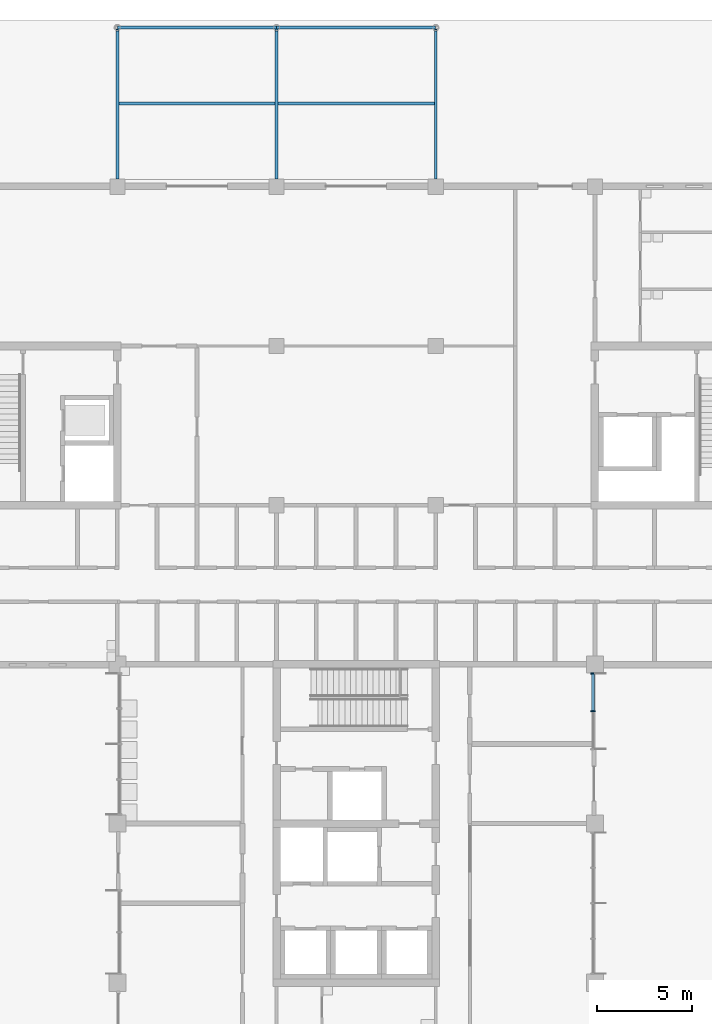
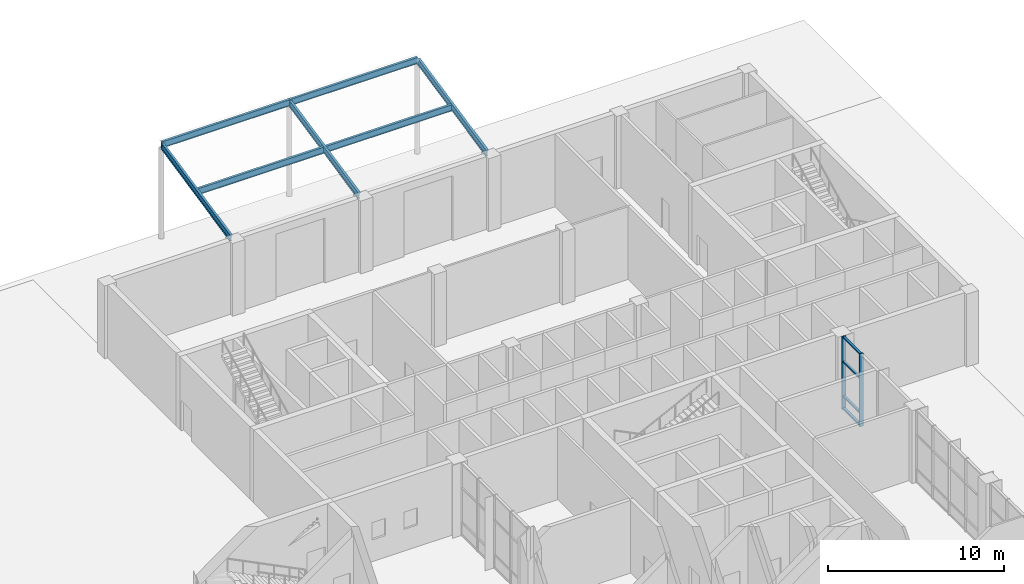
# One storey, part 23 of 76: 7 beams, 6 members, 1 element without a shape of its own.
"""IFC4 building model written with IfcOpenShell, lengths in metres."""

from ifc_helpers import new_model, si_unit, direction, frame, origin, origin_2d, place, context, subcontext, project, spatial, rectangle, i_section, extrude, material, material_profile, profile_set, type_object, element, aggregate, save


model = new_model("IFC4")

# Units and contexts
model_context = context("Model", 3, precision=1e-05, world=origin(), true_north=direction((0.0, 1.0)))
body_context = subcontext(model_context, "Body", "Model", "MODEL_VIEW")
ifc_project = project(units=[si_unit("LENGTHUNIT", "METRE"), si_unit("AREAUNIT", "SQUARE_METRE"), si_unit("VOLUMEUNIT", "CUBIC_METRE"), si_unit("PLANEANGLEUNIT", "RADIAN"), si_unit("MASSUNIT", "GRAM", prefix="KILO")], contexts=[model_context])

# Site, building, storey
site_placement = place(None, origin())
site = spatial("IfcSite", under=ifc_project, at=site_placement, CompositionType="ELEMENT")
building_placement = place(site_placement, origin())
building = spatial("IfcBuilding", under=site, at=building_placement, Name="Hlaing Beacon Police Headquarters", CompositionType="ELEMENT")
storey_placement = place(building_placement, origin())
storey = spatial("IfcBuildingStorey", under=building, at=storey_placement, Name="L00", CompositionType="ELEMENT", Elevation=0.0)

# Beams
ifc_material_1 = material(Name="Steel ASTM A992 Grade 50", Category="steel")
ifc_material_profile_1 = material_profile(ifc_material_1, i_section(OverallWidth=0.15234375, OverallDepth=0.449462890625, WebThickness=0.007568359375, FlangeThickness=0.0107421875, FilletRadius=0.01025390625, at=origin_2d()), Name="W18x35")
ifc_profile_set_1 = profile_set([ifc_material_profile_1], Name="Steel ASTM A992 Grade 50")
beam_type = type_object("IfcBeamType", Name="Canopy beam W18x35", PredefinedType="BEAM", material=ifc_profile_set_1)
for number, where, z_axis, x_axis, name in (
    (1, (100.800048828125, 92.8466796875, 4.775146484375), (0.0, 0.978143423985, 0.207931339904), (-1.0, 0.0, 0.0), "Sally port canopy main beam 1"),
    (2, (109.199951171875, 92.8466796875, 4.775146484375), (0.0, 0.978143423985, 0.207931339904), (-1.0, 0.0, 0.0), "Sally port canopy main beam 2"),
    (3, (117.60009765625, 92.8466796875, 4.775146484375), (0.0, 0.978143423985, 0.207931339904), (-1.0, 0.0, 0.0), "Sally port canopy main beam 3"),
):
    element("IfcBeam", number, at=place(storey_placement, frame(where, z_axis=z_axis, x_axis=x_axis)), inside=storey, type_object=beam_type, Name=name, PredefinedType="BEAM", context=body_context, shape_type="SweptSolid", body=[
        extrude(i_section(OverallWidth=0.15234375, OverallDepth=0.449462890625, WebThickness=0.007568359375, FlangeThickness=0.0107421875, FilletRadius=0.01025390625, at=origin_2d()), origin(), (0.0, 0.0, 1.0), 8.00537109375),
    ])
beam_1_placement = place(storey_placement, frame((100.800048828125, 100.800048828125, 6.444580078125), z_axis=(1.0, 0.0, 0.0), x_axis=(0.0, 1.0, 0.0)))
element("IfcBeam", 4, at=beam_1_placement, inside=storey, type_object=beam_type, Name="Sally port canopy edge beam 1", PredefinedType="BEAM", context=body_context, shape_type="SweptSolid", body=[
    extrude(i_section(OverallWidth=0.15234375, OverallDepth=0.449462890625, WebThickness=0.007568359375, FlangeThickness=0.0107421875, FilletRadius=0.01025390625, at=origin_2d()), origin(), (0.0, 0.0, 1.0), 8.39990234375),
])
beam_2_placement = place(storey_placement, frame((100.876220703125, 96.800048828125, 5.604248046875), z_axis=(1.0, 0.0, 0.0), x_axis=(0.0, 1.0, 0.0)))
element("IfcBeam", 5, at=beam_2_placement, inside=storey, type_object=beam_type, Name="Sally port canopy cross beam 1", PredefinedType="BEAM", context=body_context, shape_type="SweptSolid", body=[
    extrude(i_section(OverallWidth=0.15234375, OverallDepth=0.449462890625, WebThickness=0.007568359375, FlangeThickness=0.0107421875, FilletRadius=0.01025390625, at=origin_2d()), origin(), (0.0, 0.0, 1.0), 8.24755859375),
])
beam_3_placement = place(storey_placement, frame((109.199951171875, 100.800048828125, 6.444580078125), z_axis=(1.0, 0.0, 0.0), x_axis=(0.0, 1.0, 0.0)))
element("IfcBeam", 6, at=beam_3_placement, inside=storey, type_object=beam_type, Name="Sally port canopy edge beam 2", PredefinedType="BEAM", context=body_context, shape_type="SweptSolid", body=[
    extrude(i_section(OverallWidth=0.15234375, OverallDepth=0.449462890625, WebThickness=0.007568359375, FlangeThickness=0.0107421875, FilletRadius=0.01025390625, at=origin_2d()), origin(), (0.0, 0.0, 1.0), 8.400146484375),
])
beam_4_placement = place(storey_placement, frame((109.276123046875, 96.800048828125, 5.604248046875), z_axis=(1.0, 0.0, 0.0), x_axis=(0.0, 1.0, 0.0)))
element("IfcBeam", 7, at=beam_4_placement, inside=storey, type_object=beam_type, Name="Sally port canopy cross beam 2", PredefinedType="BEAM", context=body_context, shape_type="SweptSolid", body=[
    extrude(i_section(OverallWidth=0.15234375, OverallDepth=0.449462890625, WebThickness=0.007568359375, FlangeThickness=0.0107421875, FilletRadius=0.01025390625, at=origin_2d()), origin(), (0.0, 0.0, 1.0), 8.24755859375),
])

# Curtain wall, members
ifc_material_2 = material(Name="Aluminium frame with solar control glazing", Category="aluminium")
curtain_wall_type = type_object("IfcCurtainWallType", Name="Unitised curtain wall 4.05 x 5.05", PredefinedType="NOTDEFINED", material=ifc_material_2)
curtain_wall_placement = place(storey_placement, origin())
curtain_wall = element("IfcCurtainWall", 8, at=curtain_wall_placement, inside=storey, type_object=curtain_wall_type, Name="ENV-CW-L00-E015", PredefinedType="NOTDEFINED")
ifc_material_3 = material(Name="Aluminium", Category="aluminium")
ifc_material_profile_2 = material_profile(ifc_material_3, rectangle(XDim=0.25, YDim=0.06005859375, at=origin_2d()), Name="Mullion 60x250")
ifc_profile_set_2 = profile_set([ifc_material_profile_2], Name="Aluminium")
member_type_1 = type_object("IfcMemberType", Name="Mullion 60x250", PredefinedType="MULLION", material=ifc_profile_set_2)
member_1_placement = place(storey_placement, frame((125.89990234375, 64.72509765625, 0.0), z_axis=(0.0, 0.0, 1.0), x_axis=(-1.0, 0.0, 0.0)))
member_1 = element("IfcMember", 9, at=member_1_placement, type_object=member_type_1, Name="CW-L00-E015 mullion 2", PredefinedType="MULLION", context=body_context, shape_type="SweptSolid", body=[
    extrude(rectangle(XDim=0.25, YDim=0.06005859375, at=origin_2d()), origin(), (0.0, 0.0, 1.0), 5.050048828125),
])
member_2_placement = place(storey_placement, frame((125.89990234375, 66.719970703125, 0.0), z_axis=(0.0, 0.0, 1.0), x_axis=(-1.0, 0.0, 0.0)))
member_2 = element("IfcMember", 10, at=member_2_placement, type_object=member_type_1, Name="CW-L00-E015 mullion 3", PredefinedType="MULLION", context=body_context, shape_type="SweptSolid", body=[
    extrude(rectangle(XDim=0.25, YDim=0.06005859375, at=origin_2d()), origin(), (0.0, 0.0, 1.0), 5.050048828125),
])
ifc_material_4 = material(Name="Aluminium", Category="aluminium")
ifc_material_profile_3 = material_profile(ifc_material_4, rectangle(XDim=0.159912109375, YDim=0.10009765625, at=origin_2d()), Name="Transom 160x100")
ifc_profile_set_3 = profile_set([ifc_material_profile_3], Name="Aluminium")
member_type_2 = type_object("IfcMemberType", Name="Transom 160x100", PredefinedType="USERDEFINED", material=ifc_profile_set_3)
member_3_placement = place(storey_placement, frame((125.89990234375, 64.7548828125, 0.050048828125), z_axis=(0.0, 1.0, 0.0), x_axis=(-1.0, 0.0, 0.0)))
member_3 = element("IfcMember", 11, at=member_3_placement, type_object=member_type_2, Name="CW-L00-E015 transom 2.1", ObjectType="TRANSOM", PredefinedType="USERDEFINED", context=body_context, shape_type="SweptSolid", body=[
    extrude(rectangle(XDim=0.159912109375, YDim=0.10009765625, at=origin_2d()), origin(), (0.0, 0.0, 1.0), 1.93505859375),
])
member_4_placement = place(storey_placement, frame((125.89990234375, 64.7548828125, 0.89990234375), z_axis=(0.0, 1.0, 0.0), x_axis=(-1.0, 0.0, 0.0)))
member_4 = element("IfcMember", 12, at=member_4_placement, type_object=member_type_2, Name="CW-L00-E015 transom 2.2", ObjectType="TRANSOM", PredefinedType="USERDEFINED", context=body_context, shape_type="SweptSolid", body=[
    extrude(rectangle(XDim=0.159912109375, YDim=0.10009765625, at=origin_2d()), origin(), (0.0, 0.0, 1.0), 1.93505859375),
])
member_5_placement = place(storey_placement, frame((125.89990234375, 64.7548828125, 3.300048828125), z_axis=(0.0, 1.0, 0.0), x_axis=(-1.0, 0.0, 0.0)))
member_5 = element("IfcMember", 13, at=member_5_placement, type_object=member_type_2, Name="CW-L00-E015 transom 2.3", ObjectType="TRANSOM", PredefinedType="USERDEFINED", context=body_context, shape_type="SweptSolid", body=[
    extrude(rectangle(XDim=0.159912109375, YDim=0.10009765625, at=origin_2d()), origin(), (0.0, 0.0, 1.0), 1.93505859375),
])
member_6_placement = place(storey_placement, frame((125.89990234375, 64.7548828125, 5.0), z_axis=(0.0, 1.0, 0.0), x_axis=(-1.0, 0.0, 0.0)))
member_6 = element("IfcMember", 14, at=member_6_placement, type_object=member_type_2, Name="CW-L00-E015 transom 2.4", ObjectType="TRANSOM", PredefinedType="USERDEFINED", context=body_context, shape_type="SweptSolid", body=[
    extrude(rectangle(XDim=0.159912109375, YDim=0.10009765625, at=origin_2d()), origin(), (0.0, 0.0, 1.0), 1.93505859375),
])
aggregate(curtain_wall, [member_1, member_2, member_3, member_4, member_5, member_6])

save(model, "model.ifc")
